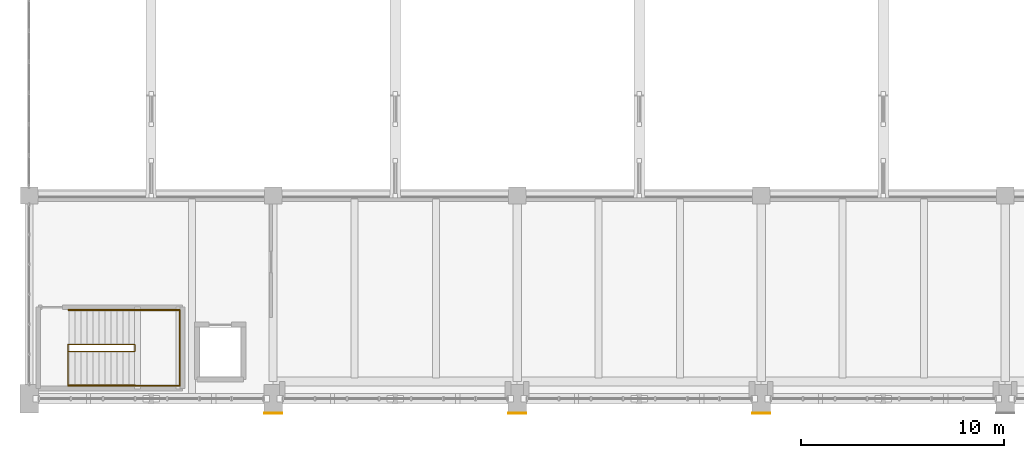
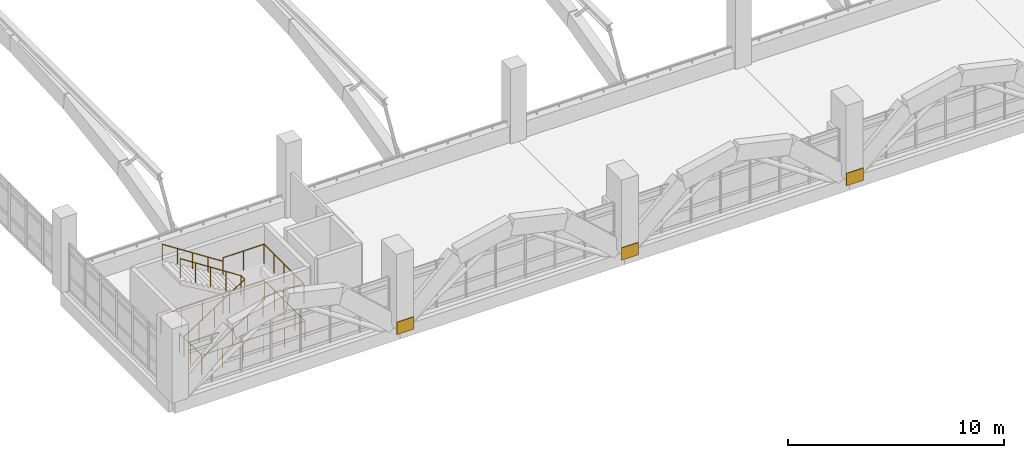
# One storey, part 153 of 161: 5 railings, 3 coverings.
"""IFC4 building model written with IfcOpenShell, lengths in metres."""

from ifc_helpers import new_model, si_unit, direction, frame, origin, origin_2d, place, context, subcontext, project, spatial, polyline, circle, outline, extrude, material, layer, layer_set, type_object, element, save


model = new_model("IFC4")

# Units and contexts
model_context = context("Model", 3, precision=1e-05, world=origin(), true_north=direction((0.0, 1.0)))
body_context = subcontext(model_context, "Body", "Model", "MODEL_VIEW")
ifc_project = project(units=[si_unit("LENGTHUNIT", "METRE"), si_unit("AREAUNIT", "SQUARE_METRE"), si_unit("VOLUMEUNIT", "CUBIC_METRE"), si_unit("PLANEANGLEUNIT", "RADIAN"), si_unit("MASSUNIT", "GRAM", prefix="KILO")], contexts=[model_context])

# Site, building, storey
site_placement = place(None, origin())
site = spatial("IfcSite", under=ifc_project, at=site_placement, CompositionType="ELEMENT")
building_placement = place(site_placement, origin())
building = spatial("IfcBuilding", under=site, at=building_placement, Name="Mersad Railyard Sports Hall", CompositionType="ELEMENT")
storey_placement = place(building_placement, frame((0.0, 0.0, 4.800048828125)))
storey = spatial("IfcBuildingStorey", under=building, at=storey_placement, Name="L01", CompositionType="ELEMENT", Elevation=4.800048828125)

# Coverings
ifc_material_1 = material(Name="Precast concrete C45/55", Category="concrete")
ifc_layer = layer(ifc_material_1, 0.0400390625)
ifc_layer_set = layer_set([ifc_layer], Name="Precast concrete C45/55")
covering_type = type_object("IfcCoveringType", Name="ARC-CV-CD01", PredefinedType="CLADDING", material=ifc_layer_set)
covering_1_placement = place(storey_placement, frame((0.0, 0.0, -0.300048828125)))
element("IfcCovering", 1, at=covering_1_placement, inside=storey, type_object=covering_type, Name="Arcade pier precast cladding 1 035", PredefinedType="CLADDING", context=body_context, shape_type="SweptSolid", body=[
    extrude(outline(polyline([(18.550048828125, 2.77001953125), (19.449951171875, 2.77001953125), (19.449951171875, 2.81005859375), (18.550048828125, 2.81005859375), (18.550048828125, 2.77001953125)])), origin(), (0.0, 0.0, 1.0), 0.699951171875),
])
covering_2_placement = place(storey_placement, frame((0.0, 0.0, -0.300048828125)))
element("IfcCovering", 2, at=covering_2_placement, inside=storey, type_object=covering_type, Name="Arcade pier precast cladding 2 036", PredefinedType="CLADDING", context=body_context, shape_type="SweptSolid", body=[
    extrude(outline(polyline([(30.550048828125, 2.77001953125), (31.449951171875, 2.77001953125), (31.449951171875, 2.81005859375), (30.550048828125, 2.81005859375), (30.550048828125, 2.77001953125)])), origin(), (0.0, 0.0, 1.0), 0.699951171875),
])
covering_3_placement = place(storey_placement, frame((0.0, 0.0, -0.300048828125)))
element("IfcCovering", 3, at=covering_3_placement, inside=storey, type_object=covering_type, Name="Arcade pier precast cladding 3 037", PredefinedType="CLADDING", context=body_context, shape_type="SweptSolid", body=[
    extrude(outline(polyline([(42.550048828125, 2.77001953125), (43.449951171875, 2.77001953125), (43.449951171875, 2.81005859375), (42.550048828125, 2.81005859375), (42.550048828125, 2.77001953125)])), origin(), (0.0, 0.0, 1.0), 0.699951171875),
])

# Railings
ifc_material_2 = material(Name="Steel S355", Category="steel")
railing_type_1 = type_object("IfcRailingType", Name="ARC-RL-GR01", PredefinedType="GUARDRAIL", material=ifc_material_2)
railing_1_placement = place(storey_placement, frame((8.909912109375, 6.169921875, 0.0)))
element("IfcRailing", 4, at=railing_1_placement, inside=storey, type_object=railing_type_1, Name="Interior guard GR01-0105", PredefinedType="GUARDRAIL", context=body_context, shape_type="SweptSolid", body=[
    extrude(circle(Radius=0.02392578125, at=origin_2d()), frame((0.0, 0.0, 1.09619140625), z_axis=(0.0, -1.0, 0.0), x_axis=(1.0, 0.0, 0.0)), (0.0, 0.0, 1.0), 2.0498046875),
    extrude(circle(Radius=0.02392578125, at=origin_2d()), frame((0.0, -2.0498046875, 1.09619140625), z_axis=(1.0, 0.0, 0.0), x_axis=(0.0, 1.0, 0.0)), (0.0, 0.0, 1.0), 5.52001953125),
    extrude(circle(Radius=0.02392578125, at=origin_2d()), frame((5.52001953125, -2.0498046875, 1.09619140625), z_axis=(0.0, 1.0, 0.0), x_axis=(-1.0, 0.0, 0.0)), (0.0, 0.0, 1.0), 3.759765625),
    extrude(circle(Radius=0.02392578125, at=origin_2d()), frame((5.52001953125, 1.7099609375, 1.09619140625), z_axis=(-1.0, 0.0, 0.0), x_axis=(0.0, -1.0, 0.0)), (0.0, 0.0, 1.0), 5.52001953125),
    extrude(circle(Radius=0.02099609375, at=origin_2d()), origin(), (0.0, 0.0, 1.0), 1.072021484375),
    extrude(circle(Radius=0.02099609375, at=origin_2d()), frame((0.0, -1.02490234375, 0.0)), (0.0, 0.0, 1.0), 1.072021484375),
    extrude(circle(Radius=0.02099609375, at=origin_2d()), frame((0.0, -2.0498046875, 0.0)), (0.0, 0.0, 1.0), 1.072021484375),
    extrude(circle(Radius=0.02099609375, at=origin_2d()), frame((1.10400390625, -2.0498046875, 0.0)), (0.0, 0.0, 1.0), 1.072021484375),
    extrude(circle(Radius=0.02099609375, at=origin_2d()), frame((2.2080078125, -2.0498046875, 0.0)), (0.0, 0.0, 1.0), 1.072021484375),
    extrude(circle(Radius=0.02099609375, at=origin_2d()), frame((3.31201171875, -2.0498046875, 0.0)), (0.0, 0.0, 1.0), 1.072021484375),
    extrude(circle(Radius=0.02099609375, at=origin_2d()), frame((4.416015625, -2.0498046875, 0.0)), (0.0, 0.0, 1.0), 1.072021484375),
    extrude(circle(Radius=0.02099609375, at=origin_2d()), frame((5.52001953125, -2.0498046875, 0.0)), (0.0, 0.0, 1.0), 1.072021484375),
    extrude(circle(Radius=0.02099609375, at=origin_2d()), frame((5.52001953125, -1.10986328125, 0.0)), (0.0, 0.0, 1.0), 1.072021484375),
    extrude(circle(Radius=0.02099609375, at=origin_2d()), frame((5.52001953125, -0.169921875, 0.0)), (0.0, 0.0, 1.0), 1.072021484375),
    extrude(circle(Radius=0.02099609375, at=origin_2d()), frame((5.52001953125, 0.77001953125, 0.0)), (0.0, 0.0, 1.0), 1.072021484375),
    extrude(circle(Radius=0.02099609375, at=origin_2d()), frame((5.52001953125, 1.7099609375, 0.0)), (0.0, 0.0, 1.0), 1.072021484375),
    extrude(circle(Radius=0.02099609375, at=origin_2d()), frame((4.416015625, 1.7099609375, 0.0)), (0.0, 0.0, 1.0), 1.072021484375),
    extrude(circle(Radius=0.02099609375, at=origin_2d()), frame((3.31201171875, 1.7099609375, 0.0)), (0.0, 0.0, 1.0), 1.072021484375),
    extrude(circle(Radius=0.02099609375, at=origin_2d()), frame((2.2080078125, 1.7099609375, 0.0)), (0.0, 0.0, 1.0), 1.072021484375),
    extrude(circle(Radius=0.02099609375, at=origin_2d()), frame((1.10400390625, 1.7099609375, 0.0)), (0.0, 0.0, 1.0), 1.072021484375),
    extrude(circle(Radius=0.02099609375, at=origin_2d()), frame((0.0, 1.7099609375, 0.0)), (0.0, 0.0, 1.0), 1.072021484375),
])
railing_2_placement = place(storey_placement, frame((8.949951171875, 5.830078125, 0.0)))
element("IfcRailing", 5, at=railing_2_placement, inside=storey, type_object=railing_type_1, Name="Interior guard GR01-0108", PredefinedType="GUARDRAIL", context=body_context, shape_type="SweptSolid", body=[
    extrude(circle(Radius=0.02392578125, at=origin_2d()), frame((0.0, 0.0, 1.09619140625), z_axis=(0.839561683974, 0.0, 0.543264372845), x_axis=(0.0, 1.0, 0.0)), (0.0, 0.0, 1.0), 3.865234375),
    extrude(circle(Radius=0.02392578125, at=origin_2d()), frame((3.2451171875, 0.0, 3.19580078125), z_axis=(0.0, 1.0, 0.0), x_axis=(-1.0, 0.0, 0.0)), (0.0, 0.0, 1.0), 0.33984375),
    extrude(circle(Radius=0.02392578125, at=origin_2d()), frame((3.2451171875, 0.33984375, 3.19580078125), z_axis=(-0.839532874919, 0.0, 0.543308891819), x_axis=(0.0, -1.0, 0.0)), (0.0, 0.0, 1.0), 3.865478515625),
    extrude(circle(Radius=0.02099609375, at=origin_2d()), origin(), (0.0, 0.0, 1.0), 1.072021484375),
    extrude(circle(Radius=0.02099609375, at=origin_2d()), frame((0.811279296875, 0.0, 0.52490234375)), (0.0, 0.0, 1.0), 1.072021484375),
    extrude(circle(Radius=0.02099609375, at=origin_2d()), frame((1.62255859375, 0.0, 1.0498046875)), (0.0, 0.0, 1.0), 1.072021484375),
    extrude(circle(Radius=0.02099609375, at=origin_2d()), frame((2.433837890625, 0.0, 1.574951171875)), (0.0, 0.0, 1.0), 1.072021484375),
    extrude(circle(Radius=0.02099609375, at=origin_2d()), frame((3.2451171875, 0.0, 2.099853515625)), (0.0, 0.0, 1.0), 1.072021484375),
    extrude(circle(Radius=0.02099609375, at=origin_2d()), frame((3.2451171875, 0.33984375, 2.099853515625)), (0.0, 0.0, 1.0), 1.072021484375),
    extrude(circle(Radius=0.02099609375, at=origin_2d()), frame((2.433837890625, 0.33984375, 2.625)), (0.0, 0.0, 1.0), 1.072021484375),
    extrude(circle(Radius=0.02099609375, at=origin_2d()), frame((1.62255859375, 0.33984375, 3.14990234375)), (0.0, 0.0, 1.0), 1.072021484375),
    extrude(circle(Radius=0.02099609375, at=origin_2d()), frame((0.811279296875, 0.33984375, 3.6748046875)), (0.0, 0.0, 1.0), 1.072021484375),
    extrude(circle(Radius=0.02099609375, at=origin_2d()), frame((0.0, 0.33984375, 4.199951171875)), (0.0, 0.0, 1.0), 1.072021484375),
])
railing_3_placement = place(storey_placement, frame((12.195068359375, 4.159912109375, 2.099853515625)))
element("IfcRailing", 6, at=railing_3_placement, inside=storey, type_object=railing_type_1, Name="Interior guard GR01-0109", PredefinedType="GUARDRAIL", context=body_context, shape_type="SweptSolid", body=[
    extrude(circle(Radius=0.02392578125, at=origin_2d()), frame((0.0, 0.0, 1.09619140625), z_axis=(1.0, 0.0, 0.0), x_axis=(0.0, 1.0, 0.0)), (0.0, 0.0, 1.0), 2.19482421875),
    extrude(circle(Radius=0.02392578125, at=origin_2d()), frame((2.19482421875, 0.0, 1.09619140625), z_axis=(0.0, 1.0, 0.0), x_axis=(-1.0, 0.0, 0.0)), (0.0, 0.0, 1.0), 3.68017578125),
    extrude(circle(Radius=0.02392578125, at=origin_2d()), frame((2.19482421875, 3.68017578125, 1.09619140625), z_axis=(-1.0, 0.0, 0.0), x_axis=(0.0, -1.0, 0.0)), (0.0, 0.0, 1.0), 2.19482421875),
    extrude(circle(Radius=0.02099609375, at=origin_2d()), origin(), (0.0, 0.0, 1.0), 1.072021484375),
    extrude(circle(Radius=0.02099609375, at=origin_2d()), frame((1.097412109375, 0.0, 0.0)), (0.0, 0.0, 1.0), 1.072021484375),
    extrude(circle(Radius=0.02099609375, at=origin_2d()), frame((2.19482421875, 0.0, 0.0)), (0.0, 0.0, 1.0), 1.072021484375),
    extrude(circle(Radius=0.02099609375, at=origin_2d()), frame((2.19482421875, 0.919921875, 0.0)), (0.0, 0.0, 1.0), 1.072021484375),
    extrude(circle(Radius=0.02099609375, at=origin_2d()), frame((2.19482421875, 1.840087890625, 0.0)), (0.0, 0.0, 1.0), 1.072021484375),
    extrude(circle(Radius=0.02099609375, at=origin_2d()), frame((2.19482421875, 2.76025390625, 0.0)), (0.0, 0.0, 1.0), 1.072021484375),
    extrude(circle(Radius=0.02099609375, at=origin_2d()), frame((2.19482421875, 3.68017578125, 0.0)), (0.0, 0.0, 1.0), 1.072021484375),
    extrude(circle(Radius=0.02099609375, at=origin_2d()), frame((1.097412109375, 3.68017578125, 0.0)), (0.0, 0.0, 1.0), 1.072021484375),
    extrude(circle(Radius=0.02099609375, at=origin_2d()), frame((0.0, 3.68017578125, 0.0)), (0.0, 0.0, 1.0), 1.072021484375),
])
railing_type_2 = type_object("IfcRailingType", Name="ARC-RL-HR01", PredefinedType="HANDRAIL", material=ifc_material_2)
railing_4_placement = place(storey_placement, frame((8.949951171875, 4.159912109375, 0.0)))
element("IfcRailing", 7, at=railing_4_placement, inside=storey, type_object=railing_type_2, Name="Interior handrail HR01-0106", PredefinedType="HANDRAIL", context=body_context, shape_type="SweptSolid", body=[
    extrude(circle(Radius=0.02392578125, at=origin_2d()), frame((0.0, 0.0, 0.89599609375), z_axis=(0.839561683974, 0.0, 0.543264372845), x_axis=(0.0, 1.0, 0.0)), (0.0, 0.0, 1.0), 3.865234375),
    extrude(circle(Radius=0.02099609375, at=origin_2d()), origin(), (0.0, 0.0, 1.0), 0.871826171875),
    extrude(circle(Radius=0.02099609375, at=origin_2d()), frame((0.811279296875, 0.0, 0.52490234375)), (0.0, 0.0, 1.0), 0.871826171875),
    extrude(circle(Radius=0.02099609375, at=origin_2d()), frame((1.62255859375, 0.0, 1.0498046875)), (0.0, 0.0, 1.0), 0.871826171875),
    extrude(circle(Radius=0.02099609375, at=origin_2d()), frame((2.433837890625, 0.0, 1.574951171875)), (0.0, 0.0, 1.0), 0.871826171875),
    extrude(circle(Radius=0.02099609375, at=origin_2d()), frame((3.2451171875, 0.0, 2.099853515625)), (0.0, 0.0, 1.0), 0.871826171875),
])
railing_5_placement = place(storey_placement, frame((12.195068359375, 7.840087890625, 2.099853515625)))
element("IfcRailing", 8, at=railing_5_placement, inside=storey, type_object=railing_type_2, Name="Interior handrail HR01-0107", PredefinedType="HANDRAIL", context=body_context, shape_type="SweptSolid", body=[
    extrude(circle(Radius=0.02392578125, at=origin_2d()), frame((0.0, 0.0, 0.89599609375), z_axis=(-0.839532874919, 0.0, 0.543308891819), x_axis=(0.0, -1.0, 0.0)), (0.0, 0.0, 1.0), 3.865478515625),
    extrude(circle(Radius=0.02099609375, at=origin_2d()), origin(), (0.0, 0.0, 1.0), 0.871826171875),
    extrude(circle(Radius=0.02099609375, at=origin_2d()), frame((-0.811279296875, 0.0, 0.52490234375)), (0.0, 0.0, 1.0), 0.871826171875),
    extrude(circle(Radius=0.02099609375, at=origin_2d()), frame((-1.62255859375, 0.0, 1.050048828125)), (0.0, 0.0, 1.0), 0.871826171875),
    extrude(circle(Radius=0.02099609375, at=origin_2d()), frame((-2.433837890625, 0.0, 1.5751953125)), (0.0, 0.0, 1.0), 0.871826171875),
    extrude(circle(Radius=0.02099609375, at=origin_2d()), frame((-3.2451171875, 0.0, 2.10009765625)), (0.0, 0.0, 1.0), 0.871826171875),
])

save(model, "model.ifc")
